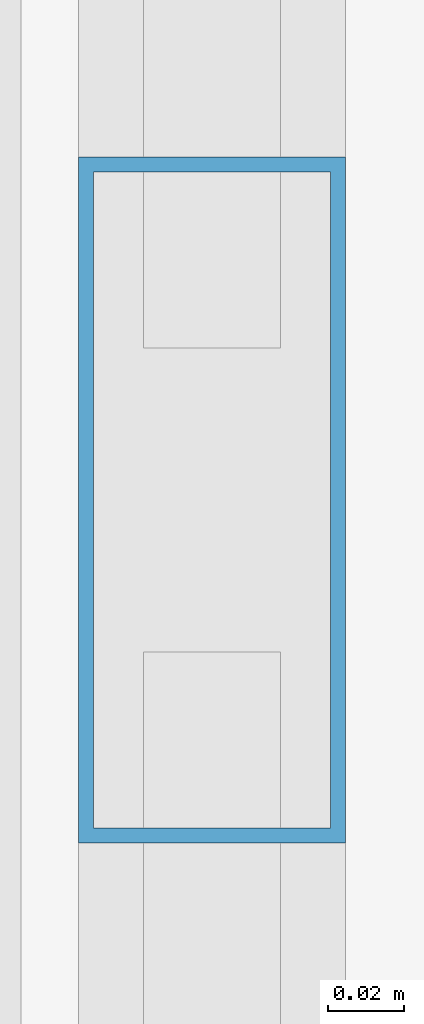
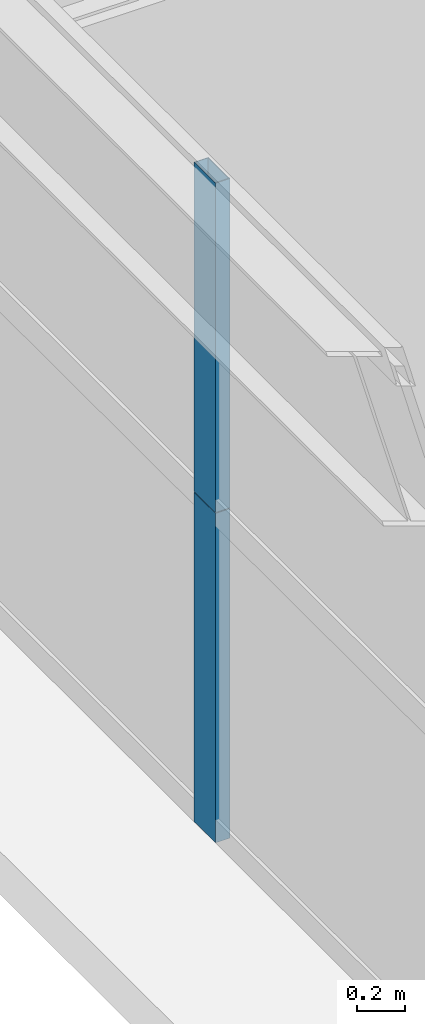
# One storey, part 10 of 43: 2 members, 1 element without a shape of its own.
"""IFC4 building model written with IfcOpenShell, lengths in metres."""

from ifc_helpers import new_model, si_unit, direction, frame, origin, origin_2d, place, context, subcontext, project, spatial, hollow_rectangle, extrude, source, transform, mapped, material, layer, layer_set, material_profile, profile_set, type_object, element, aggregate, save


model = new_model("IFC4")

# Units and contexts
model_context = context("Model", 3, precision=1e-05, world=origin(), true_north=direction((0.0, 1.0)))
body_context = subcontext(model_context, "Body", "Model", "MODEL_VIEW")
ifc_project = project(units=[si_unit("LENGTHUNIT", "METRE"), si_unit("AREAUNIT", "SQUARE_METRE"), si_unit("VOLUMEUNIT", "CUBIC_METRE"), si_unit("PLANEANGLEUNIT", "RADIAN"), si_unit("MASSUNIT", "GRAM", prefix="KILO"), si_unit("THERMODYNAMICTEMPERATUREUNIT", "KELVIN"), si_unit("POWERUNIT", "WATT")], contexts=[model_context])

# Site, building, storey
site_placement = place(None, origin())
site = spatial("IfcSite", under=ifc_project, at=site_placement, CompositionType="ELEMENT")
building_placement = place(site_placement, origin())
building = spatial("IfcBuilding", under=site, at=building_placement, Name="Yuzanri Waterfront Tower", CompositionType="ELEMENT")
storey_placement = place(building_placement, frame((0.0, 0.0, 108.199951171875)))
storey = spatial("IfcBuildingStorey", under=building, at=storey_placement, Name="L28", CompositionType="ELEMENT", Elevation=108.199951171875)

# Curtain wall, members
ifc_material_1 = material(Name="Anodized Architectural Bronze", Category="metal")
ifc_layer = layer(ifc_material_1, 0.159912109375)
ifc_layer_set = layer_set([ifc_layer], Name="Anodized Architectural Bronze")
curtain_wall_type = type_object("IfcCurtainWallType", Name="Anodized Bronze Hotel Upper-Tier Solar-Control Unitized Curtain Wall 7800", PredefinedType="NOTDEFINED", material=ifc_layer_set)
curtain_wall_placement = place(storey_placement, origin())
curtain_wall = element("IfcCurtainWall", 1, at=curtain_wall_placement, inside=storey, type_object=curtain_wall_type, Name="L28 Curtain Wall CW-L28-WL", PredefinedType="NOTDEFINED")
ifc_material_2 = material(Name="Anodized Architectural Bronze", Category="metal")
ifc_material_profile = material_profile(ifc_material_2, hollow_rectangle(XDim=0.070068359375, YDim=0.179931640625, WallThickness=0.00390625, at=origin_2d()), Name="CWM 70x180")
ifc_profile_set = profile_set([ifc_material_profile], Name="Anodized Architectural Bronze")
member_type = type_object("IfcMemberType", Name="Anodized Bronze Standard Curtain-Wall Mullion 70x180", PredefinedType="MULLION", material=ifc_profile_set)
shared_shape = source(origin(), body_context, "Body", "SweptSolid", [
    extrude(hollow_rectangle(XDim=0.070068359375, YDim=0.179931640625, WallThickness=0.00390625, at=origin_2d()), origin(), (0.0, 0.0, 1.0), 1.68798828125),
])
member_1_placement = place(storey_placement, frame((13.550048828125, 17.449951171875, 0.0), z_axis=(0.0, 0.0, 1.0), x_axis=(1.0, 0.0, 0.0)))
member_1 = element("IfcMember", 2, at=member_1_placement, type_object=member_type, Name="CW-L28-WL Lower Mullion 01", PredefinedType="MULLION", context=body_context, shape_type="MappedRepresentation", body=[
    mapped(shared_shape, transform((0.0, 0.0, 0.0), scale=1.0)),
])
member_2_placement = place(storey_placement, frame((13.550048828125, 17.449951171875, 1.692138671875), z_axis=(0.0, 0.0, 1.0), x_axis=(1.0, 0.0, 0.0)))
member_2 = element("IfcMember", 3, at=member_2_placement, type_object=member_type, Name="CW-L28-WL Upper Mullion 01", PredefinedType="MULLION", context=body_context, shape_type="MappedRepresentation", body=[
    mapped(shared_shape, transform((0.0, 0.0, 0.0), scale=1.0)),
])
aggregate(curtain_wall, [member_1, member_2])

save(model, "model.ifc")
